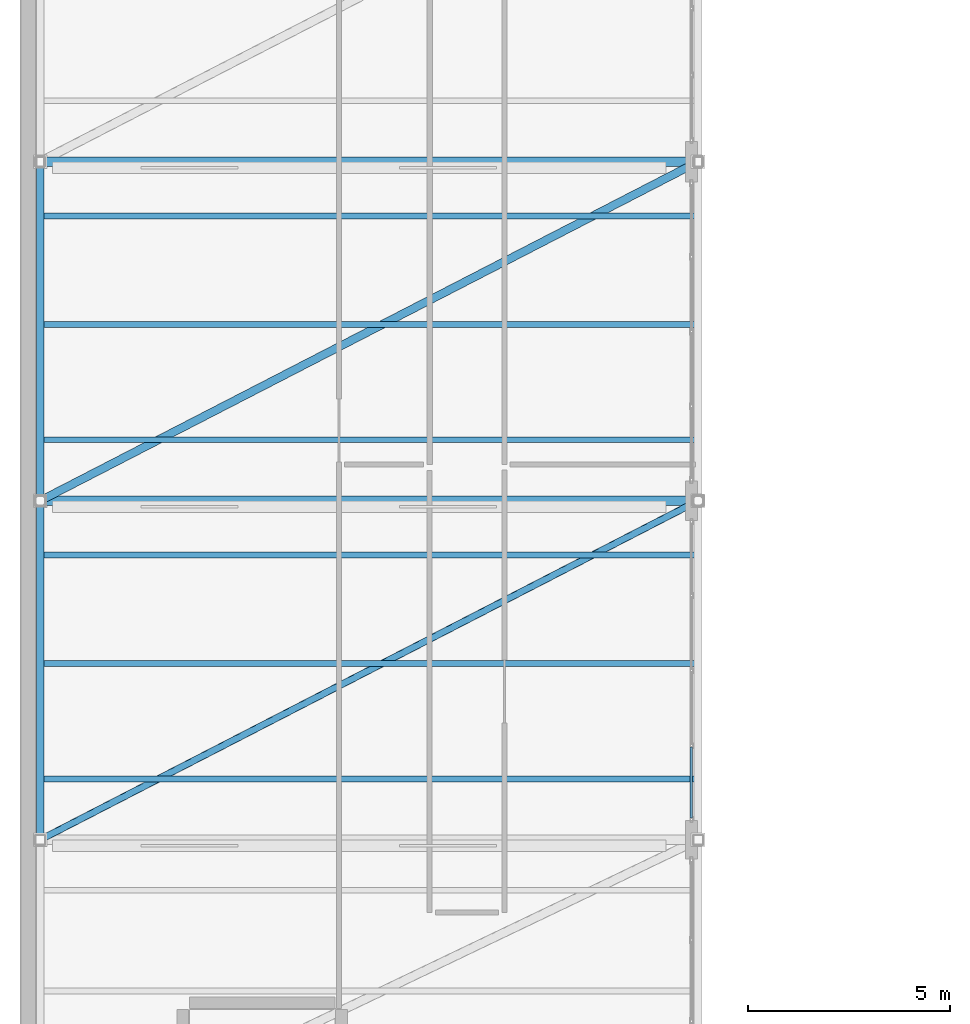
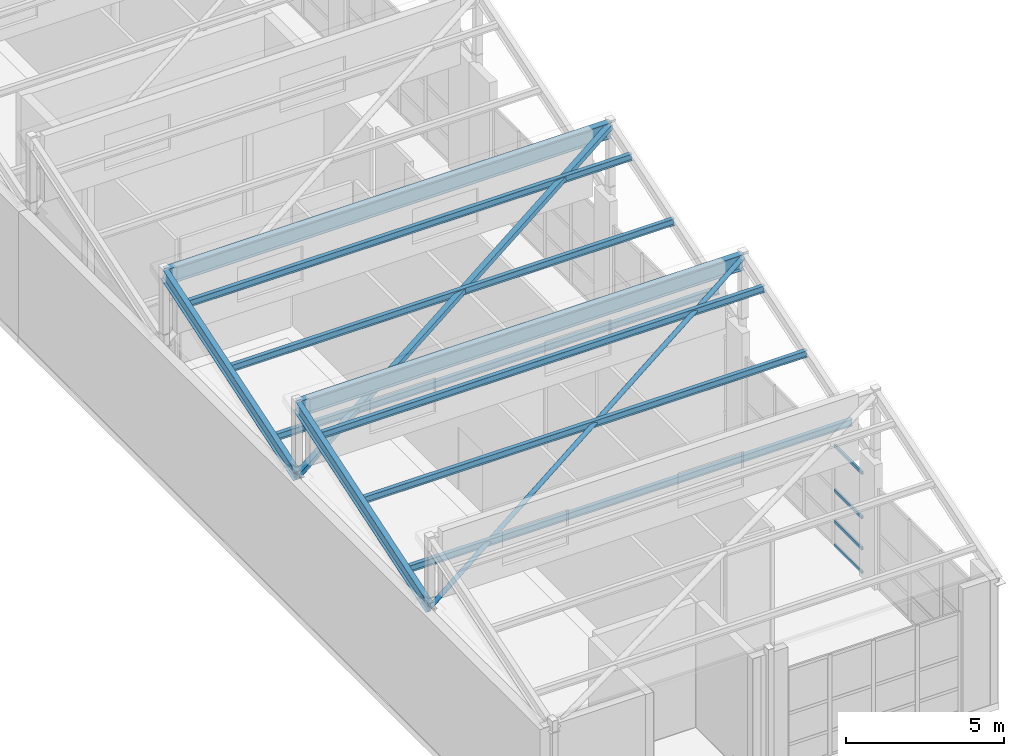
# One storey, part 8 of 34: 12 members, 4 beams, 1 element without a shape of its own.
"""IFC4 building model written with IfcOpenShell, lengths in metres."""

from ifc_helpers import new_model, si_unit, direction, frame, origin, origin_2d, place, context, subcontext, project, spatial, hollow_rectangle, hollow_circle, i_section, extrude, material, layer, layer_set, material_profile, profile_set, type_object, element, aggregate, save


model = new_model("IFC4")

# Units and contexts
model_context = context("Model", 3, precision=1e-05, world=origin(), true_north=direction((0.0, 1.0)))
body_context = subcontext(model_context, "Body", "Model", "MODEL_VIEW")
ifc_project = project(units=[si_unit("LENGTHUNIT", "METRE"), si_unit("AREAUNIT", "SQUARE_METRE"), si_unit("VOLUMEUNIT", "CUBIC_METRE"), si_unit("PLANEANGLEUNIT", "RADIAN"), si_unit("MASSUNIT", "GRAM", prefix="KILO")], contexts=[model_context])

# Site, building, storey
site_placement = place(None, origin())
site = spatial("IfcSite", under=ifc_project, at=site_placement, CompositionType="ELEMENT")
building_placement = place(site_placement, origin())
building = spatial("IfcBuilding", under=site, at=building_placement, Name="Quendrovan Civic Courthouse", CompositionType="ELEMENT")
storey_placement = place(building_placement, frame((0.0, 0.0, 25.5)))
storey = spatial("IfcBuildingStorey", under=building, at=storey_placement, Name="L06", CompositionType="ELEMENT", Elevation=25.5)

# Beams
ifc_material_1 = material(Name="Steel ASTM A992 Grade 50", Category="steel")
ifc_material_profile_1 = material_profile(ifc_material_1, i_section(OverallWidth=0.18994140625, OverallDepth=0.45703125, WebThickness=0.009033203125, FlangeThickness=0.014404296875, at=origin_2d()), Name="W460x74")
ifc_profile_set_1 = profile_set([ifc_material_profile_1], Name="Steel ASTM A992 Grade 50")
beam_type_1 = type_object("IfcBeamType", Name="BM-STL-W460", PredefinedType="BEAM", material=ifc_profile_set_1)
beam_1_placement = place(storey_placement, frame((0.5, 31.199951171875, 4.651611328125), z_axis=(0.0, 0.951060675412, 0.309004193636), x_axis=(-1.0, 0.0, 0.0)))
element("IfcBeam", 1, at=beam_1_placement, inside=storey, type_object=beam_type_1, Name="Sawtooth Raking Steel Rafter B2-W", PredefinedType="BEAM", context=body_context, shape_type="SweptSolid", body=[
    extrude(i_section(OverallWidth=0.18994140625, OverallDepth=0.45703125, WebThickness=0.009033203125, FlangeThickness=0.014404296875, at=origin_2d()), origin(), (0.0, 0.0, 1.0), 8.83251953125),
])
beam_2_placement = place(storey_placement, frame((0.5, 39.60009765625, 4.651611328125), z_axis=(0.0, 0.951058036, 0.309012317167), x_axis=(-1.0, 0.0, 0.0)))
element("IfcBeam", 2, at=beam_2_placement, inside=storey, type_object=beam_type_1, Name="Sawtooth Raking Steel Rafter B3-W", PredefinedType="BEAM", context=body_context, shape_type="SweptSolid", body=[
    extrude(i_section(OverallWidth=0.18994140625, OverallDepth=0.45703125, WebThickness=0.009033203125, FlangeThickness=0.014404296875, at=origin_2d()), origin(), (0.0, 0.0, 1.0), 8.832275390625),
])
ifc_material_profile_2 = material_profile(ifc_material_1, i_section(OverallWidth=0.22900390625, OverallDepth=0.612060546875, WebThickness=0.011962890625, FlangeThickness=0.01953125, at=origin_2d()), Name="W610x125")
ifc_profile_set_2 = profile_set([ifc_material_profile_2], Name="Steel ASTM A992 Grade 50")
beam_type_2 = type_object("IfcBeamType", Name="BM-STL-W610", PredefinedType="BEAM", material=ifc_profile_set_2)
for number, where, z_axis, x_axis, name in (
    (3, (0.5, 39.60009765625, 7.26318359375), (1.0, 0.0, 0.0), (0.0, 1.0, 0.0), "Sawtooth Ridge Steel Collector Beam B2"),
    (4, (0.5, 48.0, 7.26318359375), (1.0, 0.0, 0.0), (0.0, 1.0, 0.0), "Sawtooth Ridge Steel Collector Beam B3"),
):
    element("IfcBeam", number, at=place(storey_placement, frame(where, z_axis=z_axis, x_axis=x_axis)), inside=storey, type_object=beam_type_2, Name=name, PredefinedType="BEAM", context=body_context, shape_type="SweptSolid", body=[
        extrude(i_section(OverallWidth=0.22900390625, OverallDepth=0.612060546875, WebThickness=0.011962890625, FlangeThickness=0.01953125, at=origin_2d()), origin(), (0.0, 0.0, 1.0), 16.300048828125),
    ])

# Curtain wall, members
ifc_material_2 = material(Name="Bronze anodised aluminium and low-E glass", Category="aluminium")
ifc_layer = layer(ifc_material_2, 0.179931640625, Name="Bronze anodised aluminium and low-E glass")
ifc_layer_set = layer_set([ifc_layer], Name="Bronze anodised aluminium and low-E glass")
curtain_wall_type = type_object("IfcCurtainWallType", Name="CW-U74x39", PredefinedType="USERDEFINED", material=ifc_layer_set)
curtain_wall_placement = place(storey_placement, origin())
curtain_wall = element("IfcCurtainWall", 5, at=curtain_wall_placement, inside=storey, type_object=curtain_wall_type, Name="L06 Unitised Hurricane Curtain Wall CW-213", ObjectType="UNITISED CURTAIN WALL", PredefinedType="USERDEFINED")
ifc_material_3 = material(Name="Bronze anodised aluminium", Category="aluminium")
ifc_material_profile_3 = material_profile(ifc_material_3, hollow_rectangle(XDim=0.06494140625, YDim=0.114990234375, WallThickness=0.00390625, at=origin_2d()), Name="CW-TRAN-65x115")
ifc_profile_set_3 = profile_set([ifc_material_profile_3], Name="Bronze anodised aluminium")
member_type_1 = type_object("IfcMemberType", Name="CW-TRAN-B", PredefinedType="USERDEFINED", material=ifc_profile_set_3)
member_1_placement = place(storey_placement, frame((16.635009765625, 33.502197265625, 0.032470703125), z_axis=(0.0, -1.0, 0.0), x_axis=(1.0, 0.0, 0.0)))
member_1 = element("IfcMember", 6, at=member_1_placement, type_object=member_type_1, Name="CW-213 transom 4.1", ObjectType="TRANSOM", PredefinedType="USERDEFINED", context=body_context, shape_type="SweptSolid", body=[
    extrude(hollow_rectangle(XDim=0.06494140625, YDim=0.114990234375, WallThickness=0.00390625, at=origin_2d()), origin(), (0.0, 0.0, 1.0), 1.76220703125),
])
member_2_placement = place(storey_placement, frame((16.635009765625, 33.502197265625, 0.949951171875), z_axis=(0.0, -1.0, 0.0), x_axis=(1.0, 0.0, 0.0)))
member_2 = element("IfcMember", 7, at=member_2_placement, type_object=member_type_1, Name="CW-213 transom 4.2", ObjectType="TRANSOM", PredefinedType="USERDEFINED", context=body_context, shape_type="SweptSolid", body=[
    extrude(hollow_rectangle(XDim=0.06494140625, YDim=0.114990234375, WallThickness=0.00390625, at=origin_2d()), origin(), (0.0, 0.0, 1.0), 1.76220703125),
])
member_3_placement = place(storey_placement, frame((16.635009765625, 33.502197265625, 2.14990234375), z_axis=(0.0, -1.0, 0.0), x_axis=(1.0, 0.0, 0.0)))
member_3 = element("IfcMember", 8, at=member_3_placement, type_object=member_type_1, Name="CW-213 transom 4.3", ObjectType="TRANSOM", PredefinedType="USERDEFINED", context=body_context, shape_type="SweptSolid", body=[
    extrude(hollow_rectangle(XDim=0.06494140625, YDim=0.114990234375, WallThickness=0.00390625, at=origin_2d()), origin(), (0.0, 0.0, 1.0), 1.76220703125),
])
member_4_placement = place(storey_placement, frame((16.635009765625, 33.502197265625, 3.867431640625), z_axis=(0.0, -1.0, 0.0), x_axis=(1.0, 0.0, 0.0)))
member_4 = element("IfcMember", 9, at=member_4_placement, type_object=member_type_1, Name="CW-213 transom 4.4", ObjectType="TRANSOM", PredefinedType="USERDEFINED", context=body_context, shape_type="SweptSolid", body=[
    extrude(hollow_rectangle(XDim=0.06494140625, YDim=0.114990234375, WallThickness=0.00390625, at=origin_2d()), origin(), (0.0, 0.0, 1.0), 1.76220703125),
])
aggregate(curtain_wall, [member_1, member_2, member_3, member_4])

# Members
ifc_material_4 = material(Name="Steel ASTM A500 Grade C", Category="steel")
ifc_material_profile_4 = material_profile(ifc_material_4, hollow_circle(Radius=0.084228515625, WallThickness=0.008056640625, at=origin_2d()), Name="CHS168x8")
ifc_profile_set_4 = profile_set([ifc_material_profile_4], Name="Steel ASTM A500 Grade C")
member_type_2 = type_object("IfcMemberType", Name="MEM-BRC-CHS168", PredefinedType="BRACE", material=ifc_profile_set_4)
member_5_placement = place(storey_placement, frame((0.5, 31.199951171875, 4.651611328125), z_axis=(0.879219557782, 0.453101285473, 0.147214789732), x_axis=(-0.458092409609, 0.888904575451, 0.0)))
element("IfcMember", 10, at=member_5_placement, inside=storey, type_object=member_type_2, Name="Sawtooth Roof Diagonal Brace B2", PredefinedType="BRACE", context=body_context, shape_type="SweptSolid", body=[
    extrude(hollow_circle(Radius=0.084228515625, WallThickness=0.008056640625, at=origin_2d()), origin(), (0.0, 0.0, 1.0), 18.539306640625),
])
ifc_material_profile_5 = material_profile(ifc_material_4, hollow_rectangle(XDim=0.199951171875, YDim=0.199951171875, WallThickness=0.010009765625, at=origin_2d()), Name="HSS200x200x10")
ifc_profile_set_5 = profile_set([ifc_material_profile_5], Name="Steel ASTM A500 Grade C")
member_type_3 = type_object("IfcMemberType", Name="MEM-BRC-HSS200", PredefinedType="BRACE", material=ifc_profile_set_5)
member_6_placement = place(storey_placement, frame((0.5, 39.60009765625, 4.651611328125), z_axis=(0.879224803908, 0.453090820089, 0.147215668133), x_axis=(-0.458081889493, 0.888909996861, 0.0)))
element("IfcMember", 11, at=member_6_placement, inside=storey, type_object=member_type_3, Name="Sawtooth Roof Diagonal Brace B3", PredefinedType="BRACE", context=body_context, shape_type="SweptSolid", body=[
    extrude(hollow_rectangle(XDim=0.199951171875, YDim=0.199951171875, WallThickness=0.010009765625, at=origin_2d()), origin(), (0.0, 0.0, 1.0), 18.5390625),
])
ifc_material_profile_6 = material_profile(ifc_material_1, i_section(OverallWidth=0.14599609375, OverallDepth=0.258056640625, WebThickness=0.006103515625, FlangeThickness=0.009033203125, at=origin_2d()), Name="W250x33")
ifc_profile_set_6 = profile_set([ifc_material_profile_6], Name="Steel ASTM A992 Grade 50")
member_type_4 = type_object("IfcMemberType", Name="MEM-PUR-W250", PredefinedType="PURLIN", material=ifc_profile_set_6)
for number, where, z_axis, x_axis, name in (
    (12, (0.5, 32.7119140625, 5.21240234375), (1.0, 0.0, 0.0), (0.0, 1.0, 0.0), "Sawtooth Roof Steel Purlin B2-1"),
    (13, (0.5, 35.568115234375, 6.14013671875), (1.0, 0.0, 0.0), (0.0, 1.0, 0.0), "Sawtooth Roof Steel Purlin B2-2"),
    (14, (0.5, 38.256103515625, 7.013671875), (1.0, 0.0, 0.0), (0.0, 1.0, 0.0), "Sawtooth Roof Steel Purlin B2-3"),
    (15, (0.5, 41.112060546875, 5.21240234375), (1.0, 0.0, 0.0), (0.0, 1.0, 0.0), "Sawtooth Roof Steel Purlin B3-1"),
    (16, (0.5, 43.968017578125, 6.14013671875), (1.0, 0.0, 0.0), (0.0, 1.0, 0.0), "Sawtooth Roof Steel Purlin B3-2"),
    (17, (0.5, 46.656005859375, 7.013671875), (1.0, 0.0, 0.0), (0.0, 1.0, 0.0), "Sawtooth Roof Steel Purlin B3-3"),
):
    element("IfcMember", number, at=place(storey_placement, frame(where, z_axis=z_axis, x_axis=x_axis)), inside=storey, type_object=member_type_4, Name=name, PredefinedType="PURLIN", context=body_context, shape_type="SweptSolid", body=[
        extrude(i_section(OverallWidth=0.14599609375, OverallDepth=0.258056640625, WebThickness=0.006103515625, FlangeThickness=0.009033203125, at=origin_2d()), origin(), (0.0, 0.0, 1.0), 16.300048828125),
    ])

save(model, "model.ifc")
